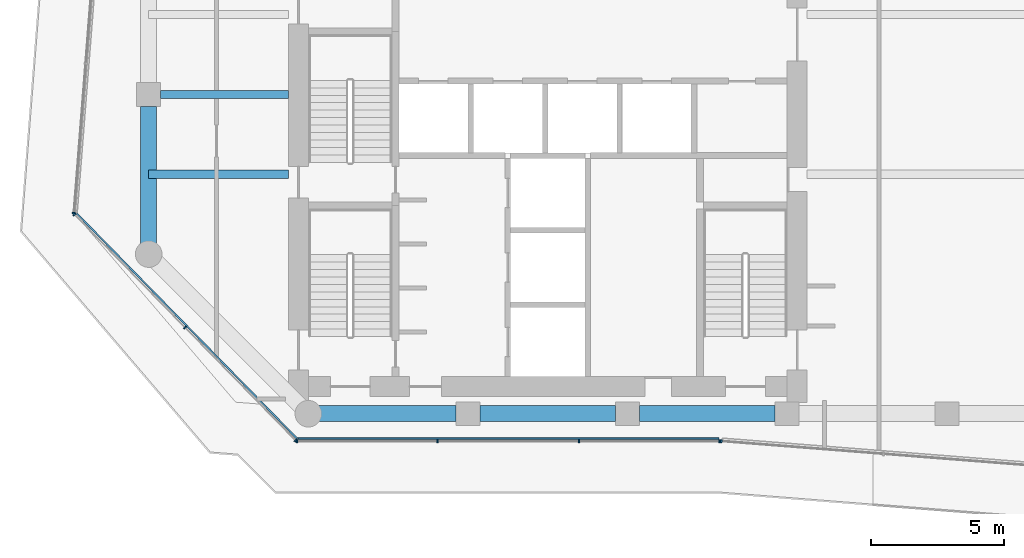
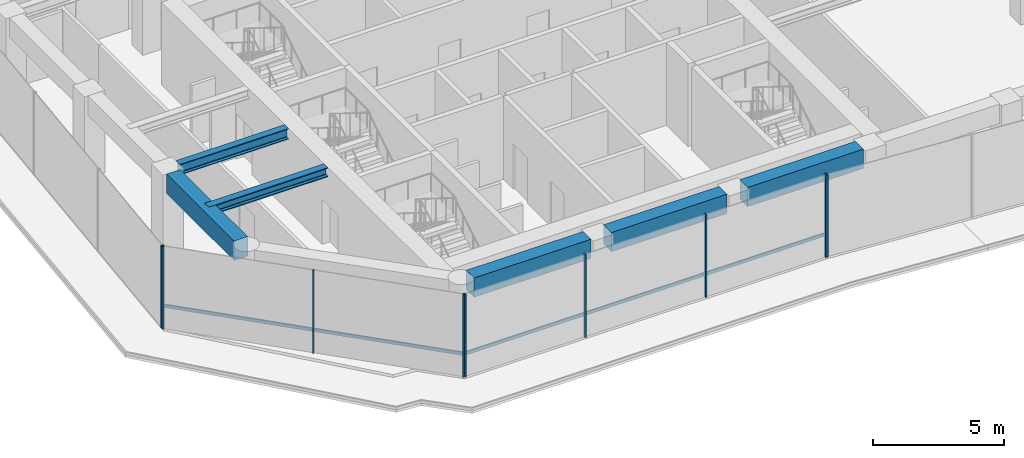
# One storey, part 2 of 24: 11 members, 6 beams, 4 elements without a shape of their own.
"""IFC4 building model written with IfcOpenShell, lengths in metres."""

from ifc_helpers import new_model, si_unit, direction, frame, origin, origin_2d, place, context, subcontext, project, spatial, rectangle, i_section, extrude, material, layer, layer_set, material_profile, profile_set, type_object, element, aggregate, save


model = new_model("IFC4")

# Units and contexts
model_context = context("Model", 3, precision=1e-05, world=origin(), true_north=direction((0.0, 1.0)))
body_context = subcontext(model_context, "Body", "Model", "MODEL_VIEW")
ifc_project = project(units=[si_unit("LENGTHUNIT", "METRE"), si_unit("AREAUNIT", "SQUARE_METRE"), si_unit("VOLUMEUNIT", "CUBIC_METRE"), si_unit("PLANEANGLEUNIT", "RADIAN"), si_unit("MASSUNIT", "GRAM", prefix="KILO")], contexts=[model_context])

# Site, building, storey
site_placement = place(None, origin())
site = spatial("IfcSite", under=ifc_project, at=site_placement, CompositionType="ELEMENT")
building_placement = place(site_placement, origin())
building = spatial("IfcBuilding", under=site, at=building_placement, Name="Welwitschia Terrace Campus", CompositionType="ELEMENT")
storey_placement = place(building_placement, frame((0.0, 0.0, 129.800048828125)))
storey = spatial("IfcBuildingStorey", under=building, at=storey_placement, Name="L29", CompositionType="ELEMENT", Elevation=129.800048828125)

# Beam
ifc_material_1 = material(Name="Steel S355", Category="steel")
ifc_material_profile_1 = material_profile(ifc_material_1, i_section(OverallWidth=0.306884765625, OverallDepth=0.431884765625, WebThickness=0.02099609375, FlangeThickness=0.0400390625, FilletRadius=0.027099609375, at=origin_2d()))
ifc_profile_set_1 = profile_set([ifc_material_profile_1], Name="Steel S355")
beam_type_1 = type_object("IfcBeamType", Name="Interior girder HE 400 M", PredefinedType="BEAM", material=ifc_profile_set_1)
beam_1_placement = place(storey_placement, frame((-0.010009765625, 13.0, 3.634033203125), z_axis=(1.0, 0.0, 0.0), x_axis=(0.0, 1.0, 0.0)))
element("IfcBeam", 1, at=beam_1_placement, inside=storey, type_object=beam_type_1, Name="Girder GB3", PredefinedType="BEAM", context=body_context, shape_type="SweptSolid", body=[
    extrude(i_section(OverallWidth=0.306884765625, OverallDepth=0.431884765625, WebThickness=0.02099609375, FlangeThickness=0.0400390625, FilletRadius=0.027099609375, at=origin_2d()), origin(), (0.0, 0.0, 1.0), 5.259033203125),
])

# Curtain wall, member
ifc_material_2 = material(Name="Bronze anodised aluminium", Category="aluminium")
ifc_layer = layer(ifc_material_2, 0.1201171875)
ifc_layer_set = layer_set([ifc_layer], Name="Bronze anodised aluminium")
curtain_wall_type = type_object("IfcCurtainWallType", Name="Curtain wall CW2 tower 6000", PredefinedType="NOTDEFINED", material=ifc_layer_set)
curtain_wall_1_placement = place(storey_placement, origin())
curtain_wall_1 = element("IfcCurtainWall", 2, at=curtain_wall_1_placement, inside=storey, type_object=curtain_wall_type, Name="CW L29.0.0", PredefinedType="NOTDEFINED")
ifc_material_3 = material(Name="Bronze anodised aluminium", Category="aluminium")
ifc_material_profile_2 = material_profile(ifc_material_3, rectangle(XDim=0.1201171875, YDim=0.06005859375, at=origin_2d()))
ifc_profile_set_2 = profile_set([ifc_material_profile_2], Name="Bronze anodised aluminium")
member_type_1 = type_object("IfcMemberType", Name="Mullion 60x120", PredefinedType="MULLION", material=ifc_profile_set_2)
member_1_placement = place(storey_placement, frame((-2.806640625, 11.5361328125, 0.0), z_axis=(0.0, 0.0, 1.0), x_axis=(0.996917333733, -0.078459095728, 0.0)))
member_1 = element("IfcMember", 3, at=member_1_placement, type_object=member_type_1, Name="Mullion L29.0.0.4", PredefinedType="MULLION", context=body_context, shape_type="SweptSolid", body=[
    extrude(rectangle(XDim=0.1201171875, YDim=0.06005859375, at=origin_2d()), origin(), (0.0, 0.0, 1.0), 3.849853515625),
])
aggregate(curtain_wall_1, [member_1])

# Curtain wall, members
curtain_wall_2_placement = place(storey_placement, origin())
curtain_wall_2 = element("IfcCurtainWall", 4, at=curtain_wall_2_placement, inside=storey, type_object=curtain_wall_type, Name="CW L29.1.0", PredefinedType="NOTDEFINED")
member_2_placement = place(storey_placement, frame((-2.7880859375, 11.48486328125, 0.0), z_axis=(0.0, 0.0, 1.0), x_axis=(0.714727277174, 0.699403259403, 0.0)))
member_2 = element("IfcMember", 5, at=member_2_placement, type_object=member_type_1, Name="Mullion L29.1.0.0", PredefinedType="MULLION", context=body_context, shape_type="SweptSolid", body=[
    extrude(rectangle(XDim=0.1201171875, YDim=0.06005859375, at=origin_2d()), origin(), (0.0, 0.0, 1.0), 3.849853515625),
])
member_3_placement = place(storey_placement, frame((1.36767578125, 7.238037109375, 0.0), z_axis=(0.0, 0.0, 1.0), x_axis=(0.714727277174, 0.699403259403, 0.0)))
member_3 = element("IfcMember", 6, at=member_3_placement, type_object=member_type_1, Name="Mullion L29.1.0.1", PredefinedType="MULLION", context=body_context, shape_type="SweptSolid", body=[
    extrude(rectangle(XDim=0.1201171875, YDim=0.06005859375, at=origin_2d()), origin(), (0.0, 0.0, 1.0), 3.849853515625),
])
member_4_placement = place(storey_placement, frame((5.523193359375, 2.991455078125, 0.0), z_axis=(0.0, 0.0, 1.0), x_axis=(0.714727277174, 0.699403259403, 0.0)))
member_4 = element("IfcMember", 7, at=member_4_placement, type_object=member_type_1, Name="Mullion L29.1.0.2", PredefinedType="MULLION", context=body_context, shape_type="SweptSolid", body=[
    extrude(rectangle(XDim=0.1201171875, YDim=0.06005859375, at=origin_2d()), origin(), (0.0, 0.0, 1.0), 3.849853515625),
])

curtain_wall_3_placement = place(storey_placement, origin())
curtain_wall_3 = element("IfcCurtainWall", 8, at=curtain_wall_3_placement, inside=storey, type_object=curtain_wall_type, Name="CW L29.2.0", PredefinedType="NOTDEFINED")
member_5_placement = place(storey_placement, frame((5.57421875, 2.969970703125, 0.0), z_axis=(0.0, 0.0, 1.0), x_axis=(0.0, 1.0, 0.0)))
member_5 = element("IfcMember", 9, at=member_5_placement, type_object=member_type_1, Name="Mullion L29.2.0.0", PredefinedType="MULLION", context=body_context, shape_type="SweptSolid", body=[
    extrude(rectangle(XDim=0.1201171875, YDim=0.06005859375, at=origin_2d()), origin(), (0.0, 0.0, 1.0), 3.849853515625),
])
member_6_placement = place(storey_placement, frame((10.860107421875, 2.969970703125, 0.0), z_axis=(0.0, 0.0, 1.0), x_axis=(0.0, 1.0, 0.0)))
member_6 = element("IfcMember", 10, at=member_6_placement, type_object=member_type_1, Name="Mullion L29.2.0.1", PredefinedType="MULLION", context=body_context, shape_type="SweptSolid", body=[
    extrude(rectangle(XDim=0.1201171875, YDim=0.06005859375, at=origin_2d()), origin(), (0.0, 0.0, 1.0), 3.849853515625),
])
member_7_placement = place(storey_placement, frame((16.176025390625, 2.969970703125, 0.0), z_axis=(0.0, 0.0, 1.0), x_axis=(0.0, 1.0, 0.0)))
member_7 = element("IfcMember", 11, at=member_7_placement, type_object=member_type_1, Name="Mullion L29.2.0.2", PredefinedType="MULLION", context=body_context, shape_type="SweptSolid", body=[
    extrude(rectangle(XDim=0.1201171875, YDim=0.06005859375, at=origin_2d()), origin(), (0.0, 0.0, 1.0), 3.849853515625),
])
member_8_placement = place(storey_placement, frame((21.4619140625, 2.969970703125, 0.0), z_axis=(0.0, 0.0, 1.0), x_axis=(0.0, 1.0, 0.0)))
member_8 = element("IfcMember", 12, at=member_8_placement, type_object=member_type_1, Name="Mullion L29.2.0.3", PredefinedType="MULLION", context=body_context, shape_type="SweptSolid", body=[
    extrude(rectangle(XDim=0.1201171875, YDim=0.06005859375, at=origin_2d()), origin(), (0.0, 0.0, 1.0), 3.849853515625),
])

# Curtain wall, member
curtain_wall_4_placement = place(storey_placement, origin())
curtain_wall_4 = element("IfcCurtainWall", 13, at=curtain_wall_4_placement, inside=storey, type_object=curtain_wall_type, Name="CW L29.3.0", PredefinedType="NOTDEFINED")
member_9_placement = place(storey_placement, frame((21.521728515625, 2.967529296875, 0.0), z_axis=(0.0, 0.0, 1.0), x_axis=(0.078459095728, 0.996917333733, 0.0)))
member_9 = element("IfcMember", 14, at=member_9_placement, type_object=member_type_1, Name="Mullion L29.3.0.0", PredefinedType="MULLION", context=body_context, shape_type="SweptSolid", body=[
    extrude(rectangle(XDim=0.1201171875, YDim=0.06005859375, at=origin_2d()), origin(), (0.0, 0.0, 1.0), 3.849853515625),
])
aggregate(curtain_wall_4, [member_9])

# Beams
ifc_material_4 = material(Name="Steel S355", Category="steel")
ifc_material_profile_3 = material_profile(ifc_material_4, i_section(OverallWidth=0.300048828125, OverallDepth=0.5, WebThickness=0.014404296875, FlangeThickness=0.028076171875, FilletRadius=0.027099609375, at=origin_2d()))
ifc_profile_set_3 = profile_set([ifc_material_profile_3], Name="Steel S355")
beam_type_2 = type_object("IfcBeamType", Name="Primary beam HE 500 B", PredefinedType="BEAM", material=ifc_profile_set_3)
beam_2_placement = place(storey_placement, frame((0.450439453125, 16.0, 3.599853515625), z_axis=(1.0, 0.0, 0.0), x_axis=(0.0, 1.0, 0.0)))
element("IfcBeam", 15, at=beam_2_placement, inside=storey, type_object=beam_type_2, Name="Primary beam PB3", PredefinedType="BEAM", context=body_context, shape_type="SweptSolid", body=[
    extrude(i_section(OverallWidth=0.300048828125, OverallDepth=0.5, WebThickness=0.014404296875, FlangeThickness=0.028076171875, FilletRadius=0.027099609375, at=origin_2d()), origin(), (0.0, 0.0, 1.0), 4.799560546875),
])
ifc_material_5 = material(Name="Concrete C60/75", Category="concrete")
ifc_material_profile_4 = material_profile(ifc_material_5, rectangle(XDim=0.60009765625, YDim=0.89990234375, at=origin_2d()))
ifc_profile_set_4 = profile_set([ifc_material_profile_4], Name="Concrete C60/75")
beam_type_3 = type_object("IfcBeamType", Name="Ring spandrel 600x900", PredefinedType="SPANDREL", material=ifc_profile_set_4)
beam_3_placement = place(storey_placement, frame((6.400390625, 4.0, 3.39990234375), z_axis=(1.0, 0.0, 0.0), x_axis=(0.0, 1.0, 0.0)))
element("IfcBeam", 16, at=beam_3_placement, inside=storey, type_object=beam_type_3, Name="Spandrel SP2", PredefinedType="SPANDREL", context=body_context, shape_type="SweptSolid", body=[
    extrude(rectangle(XDim=0.60009765625, YDim=0.89990234375, at=origin_2d()), origin(), (0.0, 0.0, 1.0), 5.149169921875),
])
for number, where, z_axis, x_axis, name in (
    (17, (12.450439453125, 4.0, 3.39990234375), (1.0, 0.0, 0.0), (0.0, 1.0, 0.0), "Spandrel SP2"),
    (18, (18.450439453125, 4.0, 3.39990234375), (1.0, 0.0, 0.0), (0.0, 1.0, 0.0), "Spandrel SP2"),
):
    element("IfcBeam", number, at=place(storey_placement, frame(where, z_axis=z_axis, x_axis=x_axis)), inside=storey, type_object=beam_type_3, Name=name, PredefinedType="SPANDREL", context=body_context, shape_type="SweptSolid", body=[
        extrude(rectangle(XDim=0.60009765625, YDim=0.89990234375, at=origin_2d()), origin(), (0.0, 0.0, 1.0), 5.09912109375),
    ])
beam_4_placement = place(storey_placement, frame((0.0, 15.549560546875, 3.39990234375), z_axis=(0.0, -1.0, 0.0), x_axis=(1.0, 0.0, 0.0)))
element("IfcBeam", 19, at=beam_4_placement, inside=storey, type_object=beam_type_3, Name="Spandrel SP2", PredefinedType="SPANDREL", context=body_context, shape_type="SweptSolid", body=[
    extrude(rectangle(XDim=0.60009765625, YDim=0.89990234375, at=origin_2d()), origin(), (0.0, 0.0, 1.0), 5.149169921875),
])

# Member
ifc_material_6 = material(Name="Bronze anodised aluminium", Category="aluminium")
ifc_material_profile_5 = material_profile(ifc_material_6, rectangle(XDim=0.06005859375, YDim=0.14990234375, at=origin_2d()))
ifc_profile_set_5 = profile_set([ifc_material_profile_5], Name="Bronze anodised aluminium")
member_type_2 = type_object("IfcMemberType", Name="Transom 60x150", PredefinedType="USERDEFINED", material=ifc_profile_set_5)
member_10_placement = place(storey_placement, frame((-2.702880859375, 11.5263671875, 1.0), z_axis=(0.699415026268, -0.714715762406, 0.0), x_axis=(0.714715762406, 0.699415026268, 0.0)))
member_10 = element("IfcMember", 20, at=member_10_placement, type_object=member_type_2, Name="Transom L29.1.0", ObjectType="TRANSOM", PredefinedType="USERDEFINED", context=body_context, shape_type="SweptSolid", body=[
    extrude(rectangle(XDim=0.06005859375, YDim=0.14990234375, at=origin_2d()), origin(), (0.0, 0.0, 1.0), 11.823486328125),
])

aggregate(curtain_wall_2, [member_2, member_3, member_4, member_10])

member_11_placement = place(storey_placement, frame((5.604248046875, 3.06005859375, 1.0), z_axis=(1.0, 0.0, 0.0), x_axis=(0.0, 1.0, 0.0)))
member_11 = element("IfcMember", 21, at=member_11_placement, type_object=member_type_2, Name="Transom L29.2.0", ObjectType="TRANSOM", PredefinedType="USERDEFINED", context=body_context, shape_type="SweptSolid", body=[
    extrude(rectangle(XDim=0.06005859375, YDim=0.14990234375, at=origin_2d()), origin(), (0.0, 0.0, 1.0), 15.82763671875),
])

aggregate(curtain_wall_3, [member_5, member_6, member_7, member_8, member_11])

save(model, "model.ifc")
